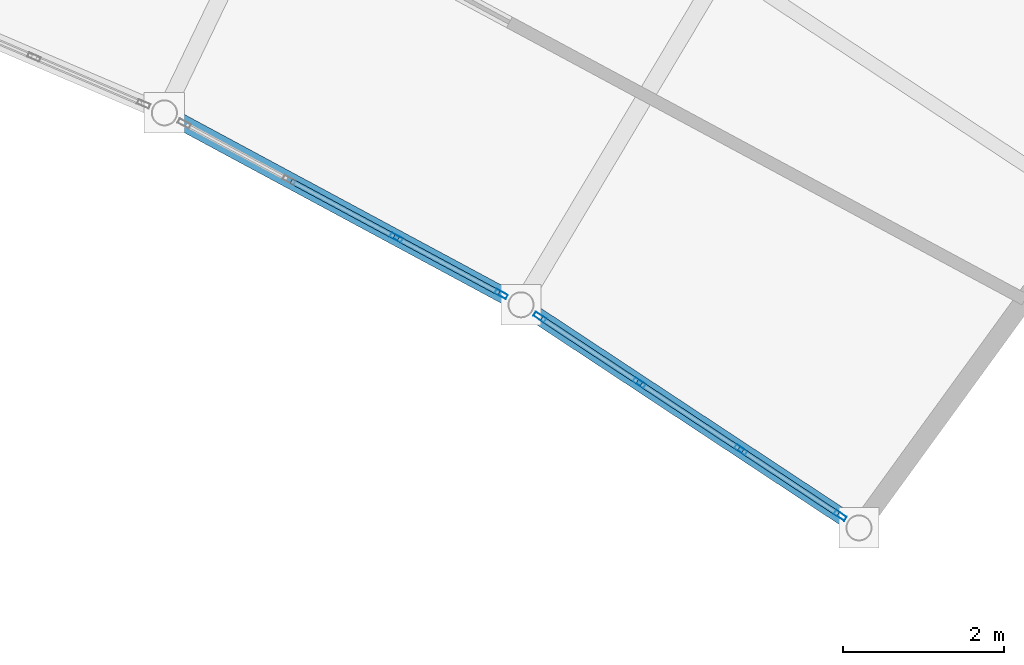
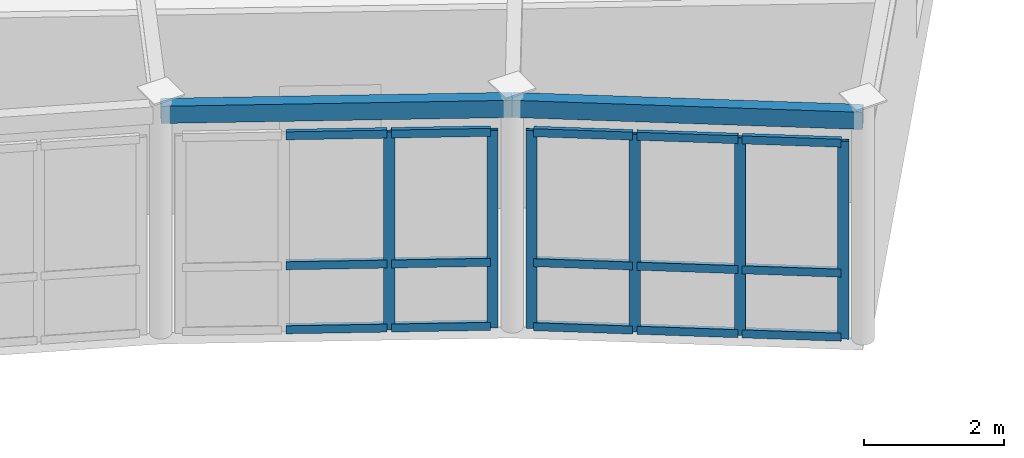
# One storey, part 26 of 54: 21 members, 2 beams, 2 elements without a shape of their own.
"""IFC4 building model written with IfcOpenShell, lengths in metres."""

from ifc_helpers import new_model, si_unit, direction, frame, origin, origin_2d, place, context, subcontext, project, spatial, hollow_rectangle, extrude, material, layer, layer_set, material_profile, profile_set, type_object, element, aggregate, save


model = new_model("IFC4")

# Units and contexts
model_context = context("Model", 3, precision=1e-05, world=origin(), true_north=direction((0.0, 1.0)))
body_context = subcontext(model_context, "Body", "Model", "MODEL_VIEW")
ifc_project = project(units=[si_unit("LENGTHUNIT", "METRE"), si_unit("AREAUNIT", "SQUARE_METRE"), si_unit("VOLUMEUNIT", "CUBIC_METRE"), si_unit("PLANEANGLEUNIT", "RADIAN"), si_unit("MASSUNIT", "GRAM", prefix="KILO")], contexts=[model_context])

# Site, building, storey
site_placement = place(None, origin())
site = spatial("IfcSite", under=ifc_project, at=site_placement, CompositionType="ELEMENT")
building_placement = place(site_placement, origin())
building = spatial("IfcBuilding", under=site, at=building_placement, Name="Selat Folded Stagehouse", CompositionType="ELEMENT")
storey_placement = place(building_placement, frame((0.0, 0.0, 15.0)))
storey = spatial("IfcBuildingStorey", under=building, at=storey_placement, Name="L03", CompositionType="ELEMENT", Elevation=15.0)

# Curtain wall, members
ifc_material_1 = material(Name="Aluminium 6063-T6", Category="aluminium")
ifc_layer = layer(ifc_material_1, 0.18994140625)
ifc_layer_set = layer_set([ifc_layer], Name="Aluminium 6063-T6")
curtain_wall_type = type_object("IfcCurtainWallType", Name="CW-REH-ARC", PredefinedType="NOTDEFINED", material=ifc_layer_set)
curtain_wall_1_placement = place(storey_placement, origin())
curtain_wall_1 = element("IfcCurtainWall", 1, at=curtain_wall_1_placement, inside=storey, type_object=curtain_wall_type, Name="L03 curtain wall CW-REH-L03-12", PredefinedType="NOTDEFINED")
ifc_material_profile_1 = material_profile(ifc_material_1, hollow_rectangle(XDim=0.06005859375, YDim=0.159912109375, WallThickness=0.00390625, at=origin_2d()), Name="ALU 160x60x4.0")
ifc_profile_set_1 = profile_set([ifc_material_profile_1], Name="Aluminium 6063-T6")
member_type_1 = type_object("IfcMemberType", Name="CWM-MUL-160x60", PredefinedType="MULLION", material=ifc_profile_set_1)
member_1_placement = place(storey_placement, frame((120.8759765625, 86.205810546875, 0.0), z_axis=(0.0, 0.0, 1.0), x_axis=(-0.473858636259, -0.880600927119, 0.0)))
member_1 = element("IfcMember", 2, at=member_1_placement, type_object=member_type_1, Name="CW-06 mullion 1", PredefinedType="MULLION", context=body_context, shape_type="SweptSolid", body=[
    extrude(hollow_rectangle(XDim=0.06005859375, YDim=0.159912109375, WallThickness=0.00390625, at=origin_2d()), origin(), (0.0, 0.0, 1.0), 3.449951171875),
])
member_2_placement = place(storey_placement, frame((119.573974609375, 86.90625, 0.0), z_axis=(0.0, 0.0, 1.0), x_axis=(-0.473858636259, -0.880600927119, 0.0)))
member_2 = element("IfcMember", 3, at=member_2_placement, type_object=member_type_1, Name="CW-06 mullion 2", PredefinedType="MULLION", context=body_context, shape_type="SweptSolid", body=[
    extrude(hollow_rectangle(XDim=0.06005859375, YDim=0.159912109375, WallThickness=0.00390625, at=origin_2d()), origin(), (0.0, 0.0, 1.0), 3.449951171875),
])

curtain_wall_2_placement = place(storey_placement, origin())
curtain_wall_2 = element("IfcCurtainWall", 4, at=curtain_wall_2_placement, inside=storey, type_object=curtain_wall_type, Name="L03 curtain wall CW-REH-L03-13", PredefinedType="NOTDEFINED")
member_3_placement = place(storey_placement, frame((125.082275390625, 83.459228515625, 0.0), z_axis=(0.0, 0.0, 1.0), x_axis=(-0.550884695619, -0.834581363399, 0.0)))
member_3 = element("IfcMember", 5, at=member_3_placement, type_object=member_type_1, Name="CW-06 mullion 1", PredefinedType="MULLION", context=body_context, shape_type="SweptSolid", body=[
    extrude(hollow_rectangle(XDim=0.06005859375, YDim=0.159912109375, WallThickness=0.00390625, at=origin_2d()), origin(), (0.0, 0.0, 1.0), 3.449951171875),
])
member_4_placement = place(storey_placement, frame((123.8486328125, 84.273681640625, 0.0), z_axis=(0.0, 0.0, 1.0), x_axis=(-0.550884695619, -0.834581363399, 0.0)))
member_4 = element("IfcMember", 6, at=member_4_placement, type_object=member_type_1, Name="CW-06 mullion 2", PredefinedType="MULLION", context=body_context, shape_type="SweptSolid", body=[
    extrude(hollow_rectangle(XDim=0.06005859375, YDim=0.159912109375, WallThickness=0.00390625, at=origin_2d()), origin(), (0.0, 0.0, 1.0), 3.449951171875),
])
member_5_placement = place(storey_placement, frame((122.58984375, 85.1044921875, 0.0), z_axis=(0.0, 0.0, 1.0), x_axis=(-0.550884695619, -0.834581363399, 0.0)))
member_5 = element("IfcMember", 7, at=member_5_placement, type_object=member_type_1, Name="CW-06 mullion 3", PredefinedType="MULLION", context=body_context, shape_type="SweptSolid", body=[
    extrude(hollow_rectangle(XDim=0.06005859375, YDim=0.159912109375, WallThickness=0.00390625, at=origin_2d()), origin(), (0.0, 0.0, 1.0), 3.449951171875),
])
member_6_placement = place(storey_placement, frame((121.35595703125, 85.9189453125, 0.0), z_axis=(0.0, 0.0, 1.0), x_axis=(-0.550884695619, -0.834581363399, 0.0)))
member_6 = element("IfcMember", 8, at=member_6_placement, type_object=member_type_1, Name="CW-06 mullion 4", PredefinedType="MULLION", context=body_context, shape_type="SweptSolid", body=[
    extrude(hollow_rectangle(XDim=0.06005859375, YDim=0.159912109375, WallThickness=0.00390625, at=origin_2d()), origin(), (0.0, 0.0, 1.0), 3.449951171875),
])

# Member
ifc_material_profile_2 = material_profile(ifc_material_1, hollow_rectangle(XDim=0.06494140625, YDim=0.139892578125, WallThickness=0.00390625, at=origin_2d()), Name="ALU 140x65x4.0")
ifc_profile_set_2 = profile_set([ifc_material_profile_2], Name="Aluminium 6063-T6")
member_type_2 = type_object("IfcMemberType", Name="CWM-TRN-140x65", PredefinedType="USERDEFINED", material=ifc_profile_set_2)
member_7_placement = place(storey_placement, frame((120.849365234375, 86.219970703125, 0.032470703125), z_axis=(-0.880559529871, 0.473935559283, 0.0), x_axis=(-0.473935559283, -0.880559529871, 0.0)))
member_7 = element("IfcMember", 9, at=member_7_placement, type_object=member_type_2, Name="CW-06 transom 1.1", ObjectType="TRANSOM", PredefinedType="USERDEFINED", context=body_context, shape_type="SweptSolid", body=[
    extrude(hollow_rectangle(XDim=0.06494140625, YDim=0.139892578125, WallThickness=0.00390625, at=origin_2d()), origin(), (0.0, 0.0, 1.0), 1.418212890625),
])

member_8_placement = place(storey_placement, frame((120.849365234375, 86.219970703125, 1.14990234375), z_axis=(-0.880559529871, 0.473935559283, 0.0), x_axis=(-0.473935559283, -0.880559529871, 0.0)))
member_8 = element("IfcMember", 10, at=member_8_placement, type_object=member_type_2, Name="CW-06 transom 1.2", ObjectType="TRANSOM", PredefinedType="USERDEFINED", context=body_context, shape_type="SweptSolid", body=[
    extrude(hollow_rectangle(XDim=0.06494140625, YDim=0.139892578125, WallThickness=0.00390625, at=origin_2d()), origin(), (0.0, 0.0, 1.0), 1.418212890625),
])

member_9_placement = place(storey_placement, frame((120.849365234375, 86.219970703125, 3.41748046875), z_axis=(-0.880559529871, 0.473935559283, 0.0), x_axis=(-0.473935559283, -0.880559529871, 0.0)))
member_9 = element("IfcMember", 11, at=member_9_placement, type_object=member_type_2, Name="CW-06 transom 1.3", ObjectType="TRANSOM", PredefinedType="USERDEFINED", context=body_context, shape_type="SweptSolid", body=[
    extrude(hollow_rectangle(XDim=0.06494140625, YDim=0.139892578125, WallThickness=0.00390625, at=origin_2d()), origin(), (0.0, 0.0, 1.0), 1.418212890625),
])

member_10_placement = place(storey_placement, frame((119.547607421875, 86.920654296875, 0.032470703125), z_axis=(-0.880606383505, 0.473848496178, 0.0), x_axis=(-0.473848496178, -0.880606383505, 0.0)))
member_10 = element("IfcMember", 12, at=member_10_placement, type_object=member_type_2, Name="CW-06 transom 2.1", ObjectType="TRANSOM", PredefinedType="USERDEFINED", context=body_context, shape_type="SweptSolid", body=[
    extrude(hollow_rectangle(XDim=0.06494140625, YDim=0.139892578125, WallThickness=0.00390625, at=origin_2d()), origin(), (0.0, 0.0, 1.0), 1.4482421875),
])

member_11_placement = place(storey_placement, frame((119.547607421875, 86.920654296875, 1.14990234375), z_axis=(-0.880606383505, 0.473848496178, 0.0), x_axis=(-0.473848496178, -0.880606383505, 0.0)))
member_11 = element("IfcMember", 13, at=member_11_placement, type_object=member_type_2, Name="CW-06 transom 2.2", ObjectType="TRANSOM", PredefinedType="USERDEFINED", context=body_context, shape_type="SweptSolid", body=[
    extrude(hollow_rectangle(XDim=0.06494140625, YDim=0.139892578125, WallThickness=0.00390625, at=origin_2d()), origin(), (0.0, 0.0, 1.0), 1.4482421875),
])

member_12_placement = place(storey_placement, frame((119.547607421875, 86.920654296875, 3.41748046875), z_axis=(-0.880606383505, 0.473848496178, 0.0), x_axis=(-0.473848496178, -0.880606383505, 0.0)))
member_12 = element("IfcMember", 14, at=member_12_placement, type_object=member_type_2, Name="CW-06 transom 2.3", ObjectType="TRANSOM", PredefinedType="USERDEFINED", context=body_context, shape_type="SweptSolid", body=[
    extrude(hollow_rectangle(XDim=0.06494140625, YDim=0.139892578125, WallThickness=0.00390625, at=origin_2d()), origin(), (0.0, 0.0, 1.0), 1.4482421875),
])

aggregate(curtain_wall_1, [member_1, member_2, member_7, member_8, member_9, member_10, member_11, member_12])

member_13_placement = place(storey_placement, frame((125.057373046875, 83.475830078125, 0.032470703125), z_axis=(-0.834636310659, 0.550801442382, 0.0), x_axis=(-0.550801442382, -0.834636310659, 0.0)))
member_13 = element("IfcMember", 15, at=member_13_placement, type_object=member_type_2, Name="CW-06 transom 1.1", ObjectType="TRANSOM", PredefinedType="USERDEFINED", context=body_context, shape_type="SweptSolid", body=[
    extrude(hollow_rectangle(XDim=0.06494140625, YDim=0.139892578125, WallThickness=0.00390625, at=origin_2d()), origin(), (0.0, 0.0, 1.0), 1.41845703125),
])

member_14_placement = place(storey_placement, frame((125.057373046875, 83.475830078125, 1.14990234375), z_axis=(-0.834636310659, 0.550801442382, 0.0), x_axis=(-0.550801442382, -0.834636310659, 0.0)))
member_14 = element("IfcMember", 16, at=member_14_placement, type_object=member_type_2, Name="CW-06 transom 1.2", ObjectType="TRANSOM", PredefinedType="USERDEFINED", context=body_context, shape_type="SweptSolid", body=[
    extrude(hollow_rectangle(XDim=0.06494140625, YDim=0.139892578125, WallThickness=0.00390625, at=origin_2d()), origin(), (0.0, 0.0, 1.0), 1.41845703125),
])

member_15_placement = place(storey_placement, frame((125.057373046875, 83.475830078125, 3.41748046875), z_axis=(-0.834636310659, 0.550801442382, 0.0), x_axis=(-0.550801442382, -0.834636310659, 0.0)))
member_15 = element("IfcMember", 17, at=member_15_placement, type_object=member_type_2, Name="CW-06 transom 1.3", ObjectType="TRANSOM", PredefinedType="USERDEFINED", context=body_context, shape_type="SweptSolid", body=[
    extrude(hollow_rectangle(XDim=0.06494140625, YDim=0.139892578125, WallThickness=0.00390625, at=origin_2d()), origin(), (0.0, 0.0, 1.0), 1.41845703125),
])

member_16_placement = place(storey_placement, frame((123.823486328125, 84.2900390625, 0.032470703125), z_axis=(-0.834583056491, 0.550882130603, 0.0), x_axis=(-0.550882130603, -0.834583056491, 0.0)))
member_16 = element("IfcMember", 18, at=member_16_placement, type_object=member_type_2, Name="CW-06 transom 2.1", ObjectType="TRANSOM", PredefinedType="USERDEFINED", context=body_context, shape_type="SweptSolid", body=[
    extrude(hollow_rectangle(XDim=0.06494140625, YDim=0.139892578125, WallThickness=0.00390625, at=origin_2d()), origin(), (0.0, 0.0, 1.0), 1.4482421875),
])

member_17_placement = place(storey_placement, frame((123.823486328125, 84.2900390625, 1.14990234375), z_axis=(-0.834583056491, 0.550882130603, 0.0), x_axis=(-0.550882130603, -0.834583056491, 0.0)))
member_17 = element("IfcMember", 19, at=member_17_placement, type_object=member_type_2, Name="CW-06 transom 2.2", ObjectType="TRANSOM", PredefinedType="USERDEFINED", context=body_context, shape_type="SweptSolid", body=[
    extrude(hollow_rectangle(XDim=0.06494140625, YDim=0.139892578125, WallThickness=0.00390625, at=origin_2d()), origin(), (0.0, 0.0, 1.0), 1.4482421875),
])

member_18_placement = place(storey_placement, frame((123.823486328125, 84.2900390625, 3.41748046875), z_axis=(-0.834583056491, 0.550882130603, 0.0), x_axis=(-0.550882130603, -0.834583056491, 0.0)))
member_18 = element("IfcMember", 20, at=member_18_placement, type_object=member_type_2, Name="CW-06 transom 2.3", ObjectType="TRANSOM", PredefinedType="USERDEFINED", context=body_context, shape_type="SweptSolid", body=[
    extrude(hollow_rectangle(XDim=0.06494140625, YDim=0.139892578125, WallThickness=0.00390625, at=origin_2d()), origin(), (0.0, 0.0, 1.0), 1.4482421875),
])

member_19_placement = place(storey_placement, frame((122.564697265625, 85.12109375, 0.032470703125), z_axis=(-0.834584079601, 0.550880580595, 0.0), x_axis=(-0.550880580595, -0.834584079601, 0.0)))
member_19 = element("IfcMember", 21, at=member_19_placement, type_object=member_type_2, Name="CW-06 transom 3.1", ObjectType="TRANSOM", PredefinedType="USERDEFINED", context=body_context, shape_type="SweptSolid", body=[
    extrude(hollow_rectangle(XDim=0.06494140625, YDim=0.139892578125, WallThickness=0.00390625, at=origin_2d()), origin(), (0.0, 0.0, 1.0), 1.418212890625),
])

member_20_placement = place(storey_placement, frame((122.564697265625, 85.12109375, 1.14990234375), z_axis=(-0.834584079601, 0.550880580595, 0.0), x_axis=(-0.550880580595, -0.834584079601, 0.0)))
member_20 = element("IfcMember", 22, at=member_20_placement, type_object=member_type_2, Name="CW-06 transom 3.2", ObjectType="TRANSOM", PredefinedType="USERDEFINED", context=body_context, shape_type="SweptSolid", body=[
    extrude(hollow_rectangle(XDim=0.06494140625, YDim=0.139892578125, WallThickness=0.00390625, at=origin_2d()), origin(), (0.0, 0.0, 1.0), 1.418212890625),
])

member_21_placement = place(storey_placement, frame((122.564697265625, 85.12109375, 3.41748046875), z_axis=(-0.834584079601, 0.550880580595, 0.0), x_axis=(-0.550880580595, -0.834584079601, 0.0)))
member_21 = element("IfcMember", 23, at=member_21_placement, type_object=member_type_2, Name="CW-06 transom 3.3", ObjectType="TRANSOM", PredefinedType="USERDEFINED", context=body_context, shape_type="SweptSolid", body=[
    extrude(hollow_rectangle(XDim=0.06494140625, YDim=0.139892578125, WallThickness=0.00390625, at=origin_2d()), origin(), (0.0, 0.0, 1.0), 1.418212890625),
])

aggregate(curtain_wall_2, [member_3, member_4, member_5, member_6, member_13, member_14, member_15, member_16, member_17, member_18, member_19, member_20, member_21])

# Beams
ifc_material_2 = material(Name="Steel S355", Category="steel")
ifc_material_profile_3 = material_profile(ifc_material_2, hollow_rectangle(XDim=0.199951171875, YDim=0.300048828125, WallThickness=0.012451171875, at=origin_2d()), Name="RHS 300x200x12.5")
ifc_profile_set_3 = profile_set([ifc_material_profile_3], Name="Steel S355")
beam_type = type_object("IfcBeamType", Name="SPD-RHS-300x200", PredefinedType="SPANDREL", material=ifc_profile_set_3)
for number, where, z_axis, x_axis, name in (
    (24, (116.697509765625, 88.454345703125, 3.867919921875), (0.880574045979, -0.473908587755, 0.0), (0.473908587755, 0.880574045979, 0.0), "L03 inner curved rehearsal spandrel 13"),
    (25, (121.122314453125, 86.072998046875, 3.867919921875), (0.834583047468, -0.550882144274, 0.0), (0.550882144274, 0.834583047468, 0.0), "L03 inner curved rehearsal spandrel 14"),
):
    element("IfcBeam", number, at=place(storey_placement, frame(where, z_axis=z_axis, x_axis=x_axis)), inside=storey, type_object=beam_type, Name=name, PredefinedType="SPANDREL", context=body_context, shape_type="SweptSolid", body=[
        extrude(hollow_rectangle(XDim=0.199951171875, YDim=0.300048828125, WallThickness=0.012451171875, at=origin_2d()), origin(), (0.0, 0.0, 1.0), 5.02490234375),
    ])

save(model, "model.ifc")
